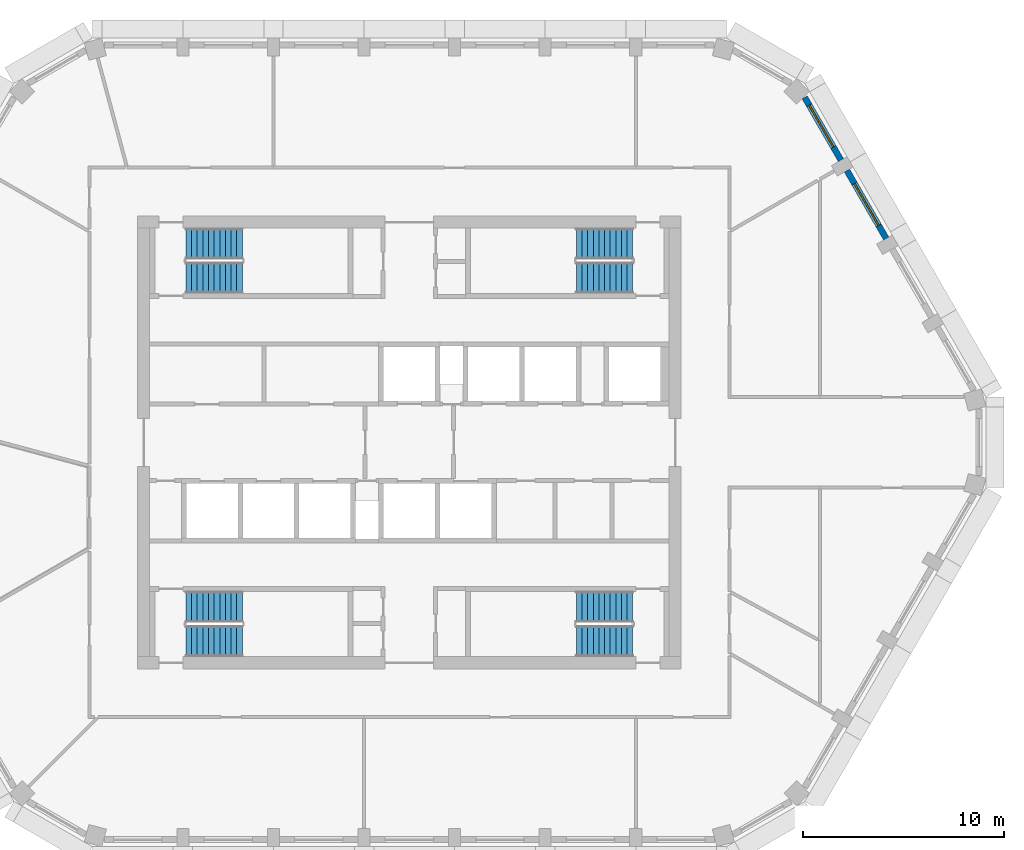
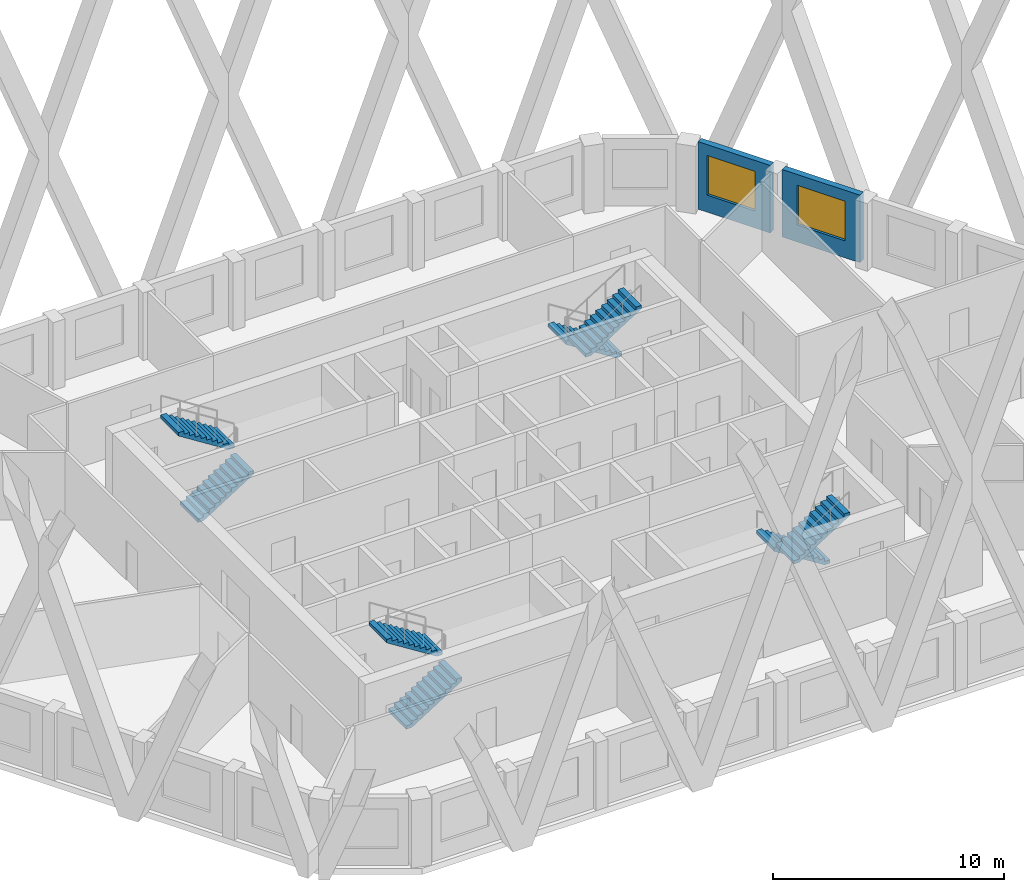
# One storey, part 7 of 14: 8 stair flights, 2 walls, 2 windows, 2 openings, 4 elements without a shape of their own.
"""IFC4 building model written with IfcOpenShell, lengths in metres."""

from ifc_helpers import new_model, si_unit, direction, frame, frame_2d, origin, place, context, subcontext, project, spatial, polyline, rectangle, outline, extrude, material, layer, layer_set, type_object, element, fill, aggregate, save


model = new_model("IFC4")

# Units and contexts
model_context = context("Model", 3, precision=1e-05, world=origin(), true_north=direction((0.0, 1.0)))
body_context = subcontext(model_context, "Body", "Model", "MODEL_VIEW")
ifc_project = project(units=[si_unit("LENGTHUNIT", "METRE"), si_unit("AREAUNIT", "SQUARE_METRE"), si_unit("VOLUMEUNIT", "CUBIC_METRE"), si_unit("PLANEANGLEUNIT", "RADIAN"), si_unit("MASSUNIT", "GRAM", prefix="KILO")], contexts=[model_context])

# Site, building, storey
site_placement = place(None, origin())
site = spatial("IfcSite", under=ifc_project, at=site_placement, CompositionType="ELEMENT")
building_placement = place(site_placement, origin())
building = spatial("IfcBuilding", under=site, at=building_placement, Name="Dhurran Vertical Campus", CompositionType="ELEMENT")
storey_placement = place(building_placement, frame((0.0, 0.0, 286.5)))
storey = spatial("IfcBuildingStorey", under=building, at=storey_placement, Name="L71", CompositionType="ELEMENT", Elevation=286.5)

# Wall, opening, window
ifc_material_1 = material(Name="Precast concrete C50/60", Category="concrete")
ifc_layer = layer(ifc_material_1, 0.300048828125)
ifc_layer_set = layer_set([ifc_layer], Name="Precast concrete C50/60")
wall_type = type_object("IfcWallType", Name="Precast spandrel wall 300", PredefinedType="SOLIDWALL", material=ifc_layer_set)
wall_1_placement = place(storey_placement, frame((23.69384765625, 10.12939453125, 0.0), z_axis=(0.0, 0.0, 1.0), x_axis=(-0.499984428715, 0.866034393683, 0.0)))
wall_1 = element("IfcWall", 1, at=wall_1_placement, inside=storey, type_object=wall_type, Name="EW1 L71.15", PredefinedType="SOLIDWALL", context=body_context, shape_type="SweptSolid", body=[
    extrude(rectangle(XDim=3.89892578125, YDim=0.300048828125, at=frame_2d((1.949462890625, 0.0))), origin(), (0.0, 0.0, 1.0), 3.574951171875),
])
opening_1_placement = place(wall_1_placement, frame((0.74951171875, 0.0, 0.89990234375)))
opening_1 = element("IfcOpeningElement", 2, at=opening_1_placement, cuts=wall_1, Name="Opening WT1", PredefinedType="OPENING", context=body_context, shape_type="SweptSolid", body=[
    extrude(rectangle(XDim=2.39990234375, YDim=2.10009765625, at=frame_2d((1.199951171875, 1.050048828125))), frame((0.0, 0.159912109375, 0.0), z_axis=(0.0, -1.0, 0.0), x_axis=(1.0, 0.0, 0.0)), (0.0, 0.0, 1.0), 0.320068359375),
])
ifc_material_2 = material(Name="Aluminium frame with solar-control glass", Category="aluminium")
window_type = type_object("IfcWindowType", Name="Punched window 2400 x 2100", PartitioningType="SINGLE_PANEL", PredefinedType="WINDOW", material=ifc_material_2)
window_1_placement = place(opening_1_placement, origin())
window_1 = element("IfcWindow", 3, at=window_1_placement, inside=storey, type_object=window_type, Name="WT1 L71.15", OverallHeight=2.10009765625, OverallWidth=2.39990234375, PartitioningType="SINGLE_PANEL", PredefinedType="WINDOW", context=body_context, shape_type="SweptSolid", body=[
    extrude(rectangle(XDim=2.39990234375, YDim=2.10009765625, at=frame_2d((1.199951171875, 1.050048828125))), frame((0.0, 0.030029296875, 0.0), z_axis=(0.0, -1.0, 0.0), x_axis=(1.0, 0.0, 0.0)), (0.0, 0.0, 1.0), 0.06005859375),
])
fill(opening_1, window_1)

wall_2_placement = place(storey_placement, frame((21.44384765625, 14.026611328125, 0.0), z_axis=(0.0, 0.0, 1.0), x_axis=(-0.50001992892, 0.866013897511, 0.0)))
wall_2 = element("IfcWall", 4, at=wall_2_placement, inside=storey, type_object=wall_type, Name="EW1 L71.16", PredefinedType="SOLIDWALL", context=body_context, shape_type="SweptSolid", body=[
    extrude(rectangle(XDim=3.599365234375, YDim=0.300048828125, at=frame_2d((1.7998046875, 0.0))), origin(), (0.0, 0.0, 1.0), 3.574951171875),
])
opening_2_placement = place(wall_2_placement, frame((0.74951171875, 0.0, 0.89990234375)))
opening_2 = element("IfcOpeningElement", 5, at=opening_2_placement, cuts=wall_2, Name="Opening WT1", PredefinedType="OPENING", context=body_context, shape_type="SweptSolid", body=[
    extrude(rectangle(XDim=2.39990234375, YDim=2.10009765625, at=frame_2d((1.199951171875, 1.050048828125))), frame((0.0, 0.159912109375, 0.0), z_axis=(0.0, -1.0, 0.0), x_axis=(1.0, 0.0, 0.0)), (0.0, 0.0, 1.0), 0.320068359375),
])
window_2_placement = place(opening_2_placement, origin())
window_2 = element("IfcWindow", 6, at=window_2_placement, inside=storey, type_object=window_type, Name="WT1 L71.16", OverallHeight=2.10009765625, OverallWidth=2.39990234375, PartitioningType="SINGLE_PANEL", PredefinedType="WINDOW", context=body_context, shape_type="SweptSolid", body=[
    extrude(rectangle(XDim=2.39990234375, YDim=2.10009765625, at=frame_2d((1.199951171875, 1.050048828125))), frame((0.0, 0.030029296875, 0.0), z_axis=(0.0, -1.0, 0.0), x_axis=(1.0, 0.0, 0.0)), (0.0, 0.0, 1.0), 0.06005859375),
])
fill(opening_2, window_2)

# Stair, stair flights
ifc_material_3 = material(Name="Concrete C40/50", Category="concrete")
stair_type = type_object("IfcStairType", Name="co-ST-CORE", PredefinedType="HALF_TURN_STAIR", material=ifc_material_3)
stair_1_placement = place(storey_placement, origin())
stair_1 = element("IfcStair", 7, at=stair_1_placement, inside=storey, type_object=stair_type, Name="L71 Protected exit stair ST1", PredefinedType="HALF_TURN_STAIR")
ifc_material_4 = material(Name="Concrete C40/50", Category="concrete")
stair_flight_type = type_object("IfcStairFlightType", Name="co-SFL-RC", PredefinedType="STRAIGHT", material=ifc_material_4)
stair_flight_1_placement = place(storey_placement, frame((-11.10009765625, 8.175048828125, 0.0), z_axis=(0.0, 0.0, 1.0), x_axis=(1.0, 0.0, 0.0)))
stair_flight_1 = element("IfcStairFlight", 8, at=stair_flight_1_placement, type_object=stair_flight_type, Name="ST1 flight 1", NumberOfRisers=11, NumberOfTreads=10, PredefinedType="STRAIGHT", RiserHeight=0.177272727, TreadLength=0.28, context=body_context, shape_type="SweptSolid", body=[
    extrude(outline(polyline([(0.0, 0.0), (0.0, 0.17724609375), (0.280029296875, 0.17724609375), (0.280029296875, 0.3544921875), (0.56005859375, 0.3544921875), (0.56005859375, 0.53173828125), (0.840087890625, 0.53173828125), (0.840087890625, 0.708984375), (1.1201171875, 0.708984375), (1.1201171875, 0.886474609375), (1.39990234375, 0.886474609375), (1.39990234375, 1.063720703125), (1.679931640625, 1.063720703125), (1.679931640625, 1.240966796875), (1.9599609375, 1.240966796875), (1.9599609375, 1.418212890625), (2.239990234375, 1.418212890625), (2.239990234375, 1.595458984375), (2.52001953125, 1.595458984375), (2.52001953125, 1.772705078125), (2.800048828125, 1.772705078125), (2.800048828125, 1.949951171875), (2.800048828125, 1.59521484375), (0.2802734375, 0.0), (0.0, 0.0)])), frame((0.0, 0.77490234375, 0.0), z_axis=(0.0, -1.0, 0.0), x_axis=(1.0, 0.0, 0.0)), (0.0, 0.0, 1.0), 1.550048828125),
])
stair_flight_2_placement = place(storey_placement, frame((-8.300048828125, 9.875, 1.949951171875), z_axis=(0.0, 0.0, 1.0), x_axis=(-1.0, 0.0, 0.0)))
stair_flight_2 = element("IfcStairFlight", 9, at=stair_flight_2_placement, type_object=stair_flight_type, Name="ST1 flight 2", NumberOfRisers=11, NumberOfTreads=10, PredefinedType="STRAIGHT", RiserHeight=0.177272727, TreadLength=0.28, context=body_context, shape_type="SweptSolid", body=[
    extrude(outline(polyline([(0.0, 0.0), (0.0, 0.17724609375), (0.280029296875, 0.17724609375), (0.280029296875, 0.3544921875), (0.56005859375, 0.3544921875), (0.56005859375, 0.53173828125), (0.840087890625, 0.53173828125), (0.840087890625, 0.708984375), (1.1201171875, 0.708984375), (1.1201171875, 0.886474609375), (1.39990234375, 0.886474609375), (1.39990234375, 1.063720703125), (1.679931640625, 1.063720703125), (1.679931640625, 1.240966796875), (1.9599609375, 1.240966796875), (1.9599609375, 1.418212890625), (2.239990234375, 1.418212890625), (2.239990234375, 1.595458984375), (2.52001953125, 1.595458984375), (2.52001953125, 1.772705078125), (2.800048828125, 1.772705078125), (2.800048828125, 1.949951171875), (2.800048828125, 1.59521484375), (0.2802734375, 0.0), (0.0, 0.0)])), frame((0.0, 0.77490234375, 0.0), z_axis=(0.0, -1.0, 0.0), x_axis=(1.0, 0.0, 0.0)), (0.0, 0.0, 1.0), 1.550048828125),
])
aggregate(stair_1, [stair_flight_1, stair_flight_2])

stair_2_placement = place(storey_placement, origin())
stair_2 = element("IfcStair", 10, at=stair_2_placement, inside=storey, type_object=stair_type, Name="L71 Protected exit stair ST2", PredefinedType="HALF_TURN_STAIR")
stair_flight_3_placement = place(storey_placement, frame((11.10009765625, 9.875, 0.0), z_axis=(0.0, 0.0, 1.0), x_axis=(-1.0, 0.0, 0.0)))
stair_flight_3 = element("IfcStairFlight", 11, at=stair_flight_3_placement, type_object=stair_flight_type, Name="ST2 flight 1", NumberOfRisers=11, NumberOfTreads=10, PredefinedType="STRAIGHT", RiserHeight=0.177272727, TreadLength=0.28, context=body_context, shape_type="SweptSolid", body=[
    extrude(outline(polyline([(0.0, 0.0), (0.0, 0.17724609375), (0.280029296875, 0.17724609375), (0.280029296875, 0.3544921875), (0.56005859375, 0.3544921875), (0.56005859375, 0.53173828125), (0.840087890625, 0.53173828125), (0.840087890625, 0.708984375), (1.1201171875, 0.708984375), (1.1201171875, 0.886474609375), (1.39990234375, 0.886474609375), (1.39990234375, 1.063720703125), (1.679931640625, 1.063720703125), (1.679931640625, 1.240966796875), (1.9599609375, 1.240966796875), (1.9599609375, 1.418212890625), (2.239990234375, 1.418212890625), (2.239990234375, 1.595458984375), (2.52001953125, 1.595458984375), (2.52001953125, 1.772705078125), (2.800048828125, 1.772705078125), (2.800048828125, 1.949951171875), (2.800048828125, 1.59521484375), (0.2802734375, 0.0), (0.0, 0.0)])), frame((0.0, 0.77490234375, 0.0), z_axis=(0.0, -1.0, 0.0), x_axis=(1.0, 0.0, 0.0)), (0.0, 0.0, 1.0), 1.550048828125),
])
stair_flight_4_placement = place(storey_placement, frame((8.300048828125, 8.175048828125, 1.949951171875), z_axis=(0.0, 0.0, 1.0), x_axis=(1.0, 0.0, 0.0)))
stair_flight_4 = element("IfcStairFlight", 12, at=stair_flight_4_placement, type_object=stair_flight_type, Name="ST2 flight 2", NumberOfRisers=11, NumberOfTreads=10, PredefinedType="STRAIGHT", RiserHeight=0.177272727, TreadLength=0.28, context=body_context, shape_type="SweptSolid", body=[
    extrude(outline(polyline([(0.0, 0.0), (0.0, 0.17724609375), (0.280029296875, 0.17724609375), (0.280029296875, 0.3544921875), (0.56005859375, 0.3544921875), (0.56005859375, 0.53173828125), (0.840087890625, 0.53173828125), (0.840087890625, 0.708984375), (1.1201171875, 0.708984375), (1.1201171875, 0.886474609375), (1.39990234375, 0.886474609375), (1.39990234375, 1.063720703125), (1.679931640625, 1.063720703125), (1.679931640625, 1.240966796875), (1.9599609375, 1.240966796875), (1.9599609375, 1.418212890625), (2.239990234375, 1.418212890625), (2.239990234375, 1.595458984375), (2.52001953125, 1.595458984375), (2.52001953125, 1.772705078125), (2.800048828125, 1.772705078125), (2.800048828125, 1.949951171875), (2.800048828125, 1.59521484375), (0.2802734375, 0.0), (0.0, 0.0)])), frame((0.0, 0.77490234375, 0.0), z_axis=(0.0, -1.0, 0.0), x_axis=(1.0, 0.0, 0.0)), (0.0, 0.0, 1.0), 1.550048828125),
])
aggregate(stair_2, [stair_flight_3, stair_flight_4])

stair_3_placement = place(storey_placement, origin())
stair_3 = element("IfcStair", 13, at=stair_3_placement, inside=storey, type_object=stair_type, Name="L71 Protected exit stair ST3", PredefinedType="HALF_TURN_STAIR")
stair_flight_5_placement = place(storey_placement, frame((-11.10009765625, -9.875, 0.0), z_axis=(0.0, 0.0, 1.0), x_axis=(1.0, 0.0, 0.0)))
stair_flight_5 = element("IfcStairFlight", 14, at=stair_flight_5_placement, type_object=stair_flight_type, Name="ST3 flight 1", NumberOfRisers=11, NumberOfTreads=10, PredefinedType="STRAIGHT", RiserHeight=0.177272727, TreadLength=0.28, context=body_context, shape_type="SweptSolid", body=[
    extrude(outline(polyline([(0.0, 0.0), (0.0, 0.17724609375), (0.280029296875, 0.17724609375), (0.280029296875, 0.3544921875), (0.56005859375, 0.3544921875), (0.56005859375, 0.53173828125), (0.840087890625, 0.53173828125), (0.840087890625, 0.708984375), (1.1201171875, 0.708984375), (1.1201171875, 0.886474609375), (1.39990234375, 0.886474609375), (1.39990234375, 1.063720703125), (1.679931640625, 1.063720703125), (1.679931640625, 1.240966796875), (1.9599609375, 1.240966796875), (1.9599609375, 1.418212890625), (2.239990234375, 1.418212890625), (2.239990234375, 1.595458984375), (2.52001953125, 1.595458984375), (2.52001953125, 1.772705078125), (2.800048828125, 1.772705078125), (2.800048828125, 1.949951171875), (2.800048828125, 1.59521484375), (0.2802734375, 0.0), (0.0, 0.0)])), frame((0.0, 0.77490234375, 0.0), z_axis=(0.0, -1.0, 0.0), x_axis=(1.0, 0.0, 0.0)), (0.0, 0.0, 1.0), 1.550048828125),
])
stair_flight_6_placement = place(storey_placement, frame((-8.300048828125, -8.175048828125, 1.949951171875), z_axis=(0.0, 0.0, 1.0), x_axis=(-1.0, 0.0, 0.0)))
stair_flight_6 = element("IfcStairFlight", 15, at=stair_flight_6_placement, type_object=stair_flight_type, Name="ST3 flight 2", NumberOfRisers=11, NumberOfTreads=10, PredefinedType="STRAIGHT", RiserHeight=0.177272727, TreadLength=0.28, context=body_context, shape_type="SweptSolid", body=[
    extrude(outline(polyline([(0.0, 0.0), (0.0, 0.17724609375), (0.280029296875, 0.17724609375), (0.280029296875, 0.3544921875), (0.56005859375, 0.3544921875), (0.56005859375, 0.53173828125), (0.840087890625, 0.53173828125), (0.840087890625, 0.708984375), (1.1201171875, 0.708984375), (1.1201171875, 0.886474609375), (1.39990234375, 0.886474609375), (1.39990234375, 1.063720703125), (1.679931640625, 1.063720703125), (1.679931640625, 1.240966796875), (1.9599609375, 1.240966796875), (1.9599609375, 1.418212890625), (2.239990234375, 1.418212890625), (2.239990234375, 1.595458984375), (2.52001953125, 1.595458984375), (2.52001953125, 1.772705078125), (2.800048828125, 1.772705078125), (2.800048828125, 1.949951171875), (2.800048828125, 1.59521484375), (0.2802734375, 0.0), (0.0, 0.0)])), frame((0.0, 0.77490234375, 0.0), z_axis=(0.0, -1.0, 0.0), x_axis=(1.0, 0.0, 0.0)), (0.0, 0.0, 1.0), 1.550048828125),
])
aggregate(stair_3, [stair_flight_5, stair_flight_6])

stair_4_placement = place(storey_placement, origin())
stair_4 = element("IfcStair", 16, at=stair_4_placement, inside=storey, type_object=stair_type, Name="L71 Protected exit stair ST4", PredefinedType="HALF_TURN_STAIR")
stair_flight_7_placement = place(storey_placement, frame((11.10009765625, -8.175048828125, 0.0), z_axis=(0.0, 0.0, 1.0), x_axis=(-1.0, 0.0, 0.0)))
stair_flight_7 = element("IfcStairFlight", 17, at=stair_flight_7_placement, type_object=stair_flight_type, Name="ST4 flight 1", NumberOfRisers=11, NumberOfTreads=10, PredefinedType="STRAIGHT", RiserHeight=0.177272727, TreadLength=0.28, context=body_context, shape_type="SweptSolid", body=[
    extrude(outline(polyline([(0.0, 0.0), (0.0, 0.17724609375), (0.280029296875, 0.17724609375), (0.280029296875, 0.3544921875), (0.56005859375, 0.3544921875), (0.56005859375, 0.53173828125), (0.840087890625, 0.53173828125), (0.840087890625, 0.708984375), (1.1201171875, 0.708984375), (1.1201171875, 0.886474609375), (1.39990234375, 0.886474609375), (1.39990234375, 1.063720703125), (1.679931640625, 1.063720703125), (1.679931640625, 1.240966796875), (1.9599609375, 1.240966796875), (1.9599609375, 1.418212890625), (2.239990234375, 1.418212890625), (2.239990234375, 1.595458984375), (2.52001953125, 1.595458984375), (2.52001953125, 1.772705078125), (2.800048828125, 1.772705078125), (2.800048828125, 1.949951171875), (2.800048828125, 1.59521484375), (0.2802734375, 0.0), (0.0, 0.0)])), frame((0.0, 0.77490234375, 0.0), z_axis=(0.0, -1.0, 0.0), x_axis=(1.0, 0.0, 0.0)), (0.0, 0.0, 1.0), 1.550048828125),
])
stair_flight_8_placement = place(storey_placement, frame((8.300048828125, -9.875, 1.949951171875), z_axis=(0.0, 0.0, 1.0), x_axis=(1.0, 0.0, 0.0)))
stair_flight_8 = element("IfcStairFlight", 18, at=stair_flight_8_placement, type_object=stair_flight_type, Name="ST4 flight 2", NumberOfRisers=11, NumberOfTreads=10, PredefinedType="STRAIGHT", RiserHeight=0.177272727, TreadLength=0.28, context=body_context, shape_type="SweptSolid", body=[
    extrude(outline(polyline([(0.0, 0.0), (0.0, 0.17724609375), (0.280029296875, 0.17724609375), (0.280029296875, 0.3544921875), (0.56005859375, 0.3544921875), (0.56005859375, 0.53173828125), (0.840087890625, 0.53173828125), (0.840087890625, 0.708984375), (1.1201171875, 0.708984375), (1.1201171875, 0.886474609375), (1.39990234375, 0.886474609375), (1.39990234375, 1.063720703125), (1.679931640625, 1.063720703125), (1.679931640625, 1.240966796875), (1.9599609375, 1.240966796875), (1.9599609375, 1.418212890625), (2.239990234375, 1.418212890625), (2.239990234375, 1.595458984375), (2.52001953125, 1.595458984375), (2.52001953125, 1.772705078125), (2.800048828125, 1.772705078125), (2.800048828125, 1.949951171875), (2.800048828125, 1.59521484375), (0.2802734375, 0.0), (0.0, 0.0)])), frame((0.0, 0.77490234375, 0.0), z_axis=(0.0, -1.0, 0.0), x_axis=(1.0, 0.0, 0.0)), (0.0, 0.0, 1.0), 1.550048828125),
])
aggregate(stair_4, [stair_flight_7, stair_flight_8])

save(model, "model.ifc")
